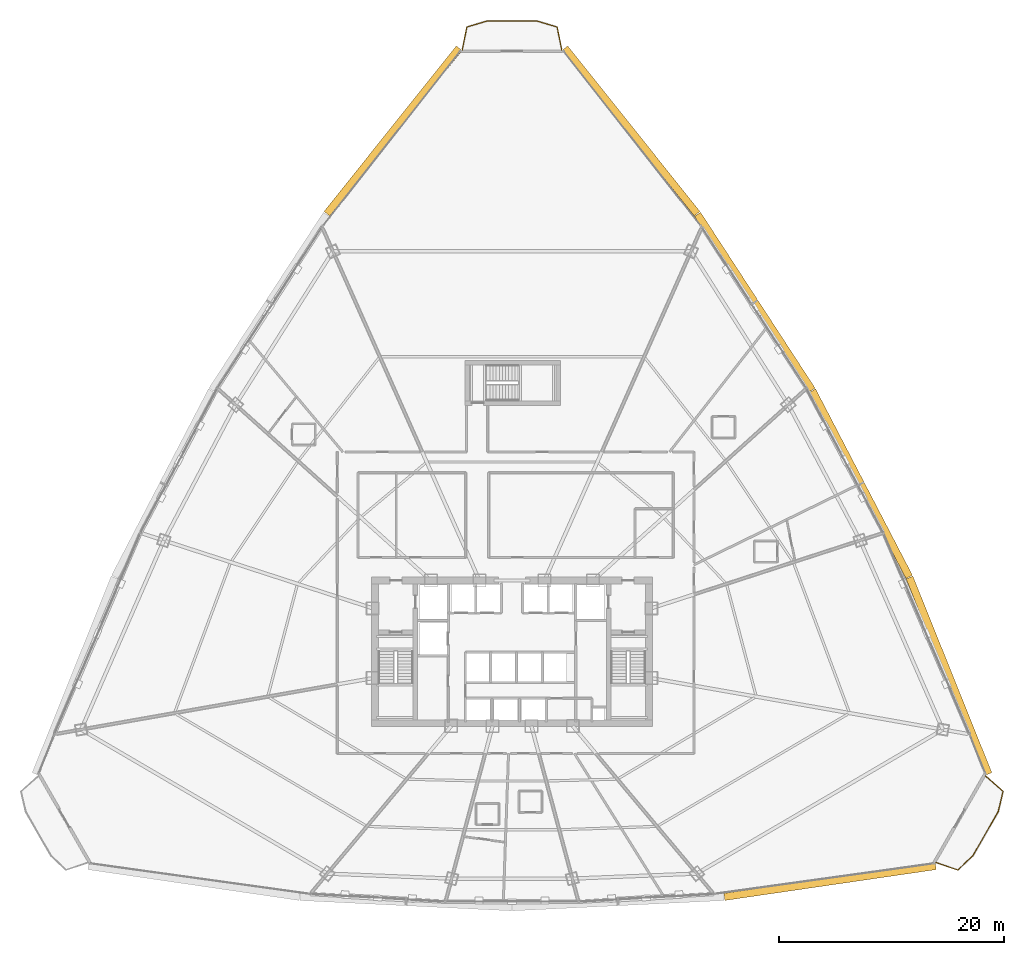
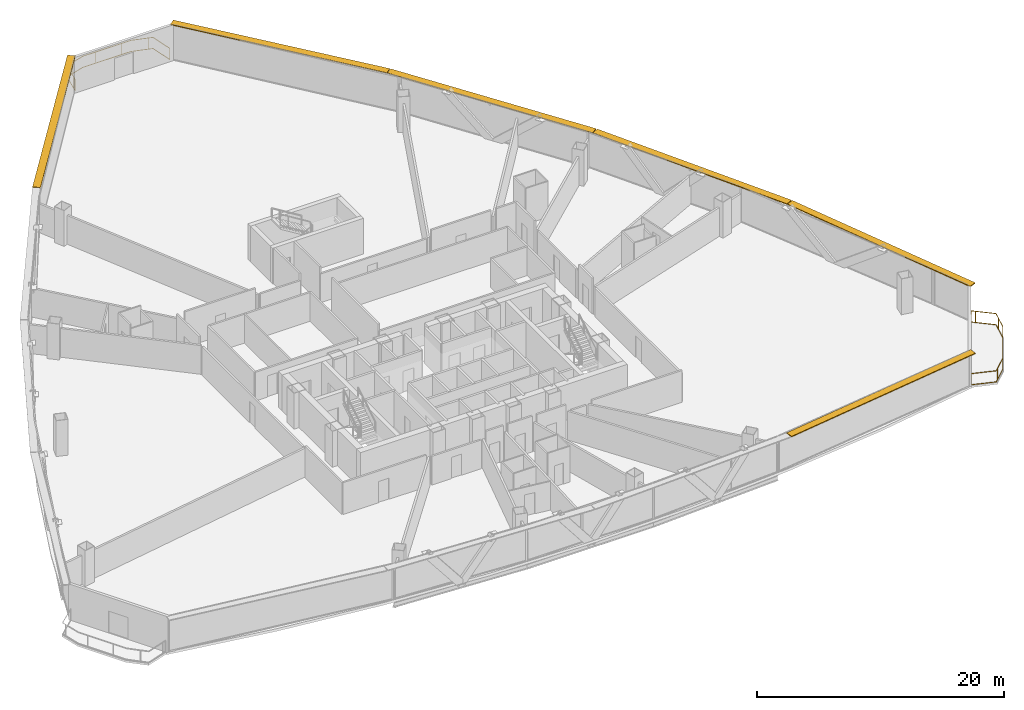
# One storey, part 37 of 37: 6 shading devices, 2 railings.
"""IFC4 building model written with IfcOpenShell, lengths in metres."""

from ifc_helpers import new_model, si_unit, direction, frame, origin, origin_2d, place, context, subcontext, project, spatial, rectangle, extrude, source, transform, mapped, material, layer, layer_set, type_object, element, save


model = new_model("IFC4")

# Units and contexts
model_context = context("Model", 3, precision=1e-05, world=origin(), true_north=direction((0.0, 1.0)))
body_context = subcontext(model_context, "Body", "Model", "MODEL_VIEW")
ifc_project = project(units=[si_unit("LENGTHUNIT", "METRE"), si_unit("AREAUNIT", "SQUARE_METRE"), si_unit("VOLUMEUNIT", "CUBIC_METRE"), si_unit("PLANEANGLEUNIT", "RADIAN"), si_unit("MASSUNIT", "GRAM", prefix="KILO"), si_unit("THERMODYNAMICTEMPERATUREUNIT", "KELVIN"), si_unit("POWERUNIT", "WATT")], contexts=[model_context])

# Site, building, storey
site_placement = place(None, origin())
site = spatial("IfcSite", under=ifc_project, at=site_placement, CompositionType="ELEMENT")
building_placement = place(site_placement, origin())
building = spatial("IfcBuilding", under=site, at=building_placement, Name="Yunzhuo Pagoda Commons", CompositionType="ELEMENT")
storey_placement = place(building_placement, frame((0.0, 0.0, 88.780029296875)))
storey = spatial("IfcBuildingStorey", under=building, at=storey_placement, Name="L22", CompositionType="ELEMENT", Elevation=88.780029296875)

# Railings
ifc_material = material(Name="Anodized aluminium 6063-T6", Category="aluminium")
railing_type = type_object("IfcRailingType", Name="RL-BAL1 Exterior Terrace & Balcony Balustrade 1150", PredefinedType="BALUSTRADE", material=ifc_material)
railing_1_placement = place(storey_placement, frame((85.737060546875, 15.097900390625, 0.0)))
element("IfcRailing", 1, at=railing_1_placement, inside=storey, type_object=railing_type, Name="L22 corner balcony balustrade V2", PredefinedType="BALUSTRADE", context=body_context, shape_type="SweptSolid", body=[
    extrude(rectangle(XDim=0.048095703125, YDim=0.048095703125, at=origin_2d()), frame((0.0, 0.0, 1.1259765625), z_axis=(0.947419062147, -0.319995501031, 0.0), x_axis=(0.319995501031, 0.947419062147, 0.0)), (0.0, 0.0, 1.0), 2.05908203125),
    extrude(rectangle(XDim=0.048095703125, YDim=0.048095703125, at=origin_2d()), frame((0.0, 0.0, 0.02392578125), z_axis=(0.947419062147, -0.319995501031, 0.0), x_axis=(0.319995501031, 0.947419062147, 0.0)), (0.0, 0.0, 1.0), 2.05908203125),
    extrude(rectangle(XDim=0.048095703125, YDim=0.048095703125, at=origin_2d()), frame((1.950927734375, -0.658935546875, 1.1259765625), z_axis=(0.724687687273, 0.689077467282, 0.0), x_axis=(-0.689077467282, 0.724687687273, 0.0)), (0.0, 0.0, 1.0), 1.85791015625),
    extrude(rectangle(XDim=0.048095703125, YDim=0.048095703125, at=origin_2d()), frame((1.950927734375, -0.658935546875, 0.02392578125), z_axis=(0.724687687273, 0.689077467282, 0.0), x_axis=(-0.689077467282, 0.724687687273, 0.0)), (0.0, 0.0, 1.0), 1.85791015625),
    extrude(rectangle(XDim=0.048095703125, YDim=0.048095703125, at=origin_2d()), frame((3.29736328125, 0.621337890625, 1.1259765625), z_axis=(0.497899857491, 0.867234531088, 0.0), x_axis=(-0.867234531088, 0.497899857491, 0.0)), (0.0, 0.0, 1.0), 4.521484375),
    extrude(rectangle(XDim=0.048095703125, YDim=0.048095703125, at=origin_2d()), frame((3.29736328125, 0.621337890625, 0.02392578125), z_axis=(0.497899857491, 0.867234531088, 0.0), x_axis=(-0.867234531088, 0.497899857491, 0.0)), (0.0, 0.0, 1.0), 4.521484375),
    extrude(rectangle(XDim=0.048095703125, YDim=0.048095703125, at=origin_2d()), frame((5.548583984375, 4.54248046875, 1.1259765625), z_axis=(0.229837631651, 0.973228987997, 0.0), x_axis=(-0.973228987997, 0.229837631651, 0.0)), (0.0, 0.0, 1.0), 1.85791015625),
    extrude(rectangle(XDim=0.048095703125, YDim=0.048095703125, at=origin_2d()), frame((5.548583984375, 4.54248046875, 0.02392578125), z_axis=(0.229837631651, 0.973228987997, 0.0), x_axis=(-0.973228987997, 0.229837631651, 0.0)), (0.0, 0.0, 1.0), 1.85791015625),
    extrude(rectangle(XDim=0.048095703125, YDim=0.048095703125, at=origin_2d()), frame((5.9755859375, 6.3505859375, 1.1259765625), z_axis=(-0.753992555518, 0.656882962348, 0.0), x_axis=(-0.656882962348, -0.753992555518, 0.0)), (0.0, 0.0, 1.0), 2.05908203125),
    extrude(rectangle(XDim=0.048095703125, YDim=0.048095703125, at=origin_2d()), frame((5.9755859375, 6.3505859375, 0.02392578125), z_axis=(-0.753992555518, 0.656882962348, 0.0), x_axis=(-0.656882962348, -0.753992555518, 0.0)), (0.0, 0.0, 1.0), 2.05908203125),
    extrude(rectangle(XDim=0.0419921875, YDim=0.0419921875, at=origin_2d()), origin(), (0.0, 0.0, 1.0), 1.101806640625),
    extrude(rectangle(XDim=0.0419921875, YDim=0.0419921875, at=origin_2d()), frame((2.197998046875, -0.424072265625, 0.0)), (0.0, 0.0, 1.0), 1.101806640625),
    extrude(rectangle(XDim=0.0419921875, YDim=0.0419921875, at=origin_2d()), frame((3.73681640625, 1.386962890625, 0.0)), (0.0, 0.0, 1.0), 1.101806640625),
    extrude(rectangle(XDim=0.0419921875, YDim=0.0419921875, at=origin_2d()), frame((4.931884765625, 3.46826171875, 0.0)), (0.0, 0.0, 1.0), 1.101806640625),
    extrude(rectangle(XDim=0.0419921875, YDim=0.0419921875, at=origin_2d()), frame((5.8154296875, 5.6728515625, 0.0)), (0.0, 0.0, 1.0), 1.101806640625),
    extrude(rectangle(XDim=0.0419921875, YDim=0.0419921875, at=origin_2d()), frame((4.691162109375, 7.4697265625, 0.0)), (0.0, 0.0, 1.0), 1.101806640625),
    extrude(rectangle(XDim=0.0419921875, YDim=0.0419921875, at=origin_2d()), frame((4.423095703125, 7.703125, 0.0)), (0.0, 0.0, 1.0), 1.101806640625),
])
railing_2_placement = place(storey_placement, frame((52.422607421875, 87.449951171875, 0.0)))
element("IfcRailing", 2, at=railing_2_placement, inside=storey, type_object=railing_type, Name="L22 corner balcony balustrade V3", PredefinedType="BALUSTRADE", context=body_context, shape_type="SweptSolid", body=[
    extrude(rectangle(XDim=0.048095703125, YDim=0.048095703125, at=origin_2d()), frame((0.0, 0.0, 1.1259765625), z_axis=(-0.194200568098, 0.980961843983, 0.0), x_axis=(-0.980961843983, -0.194200568098, 0.0)), (0.0, 0.0, 1.0), 2.059326171875),
    extrude(rectangle(XDim=0.048095703125, YDim=0.048095703125, at=origin_2d()), frame((0.0, 0.0, 0.02392578125), z_axis=(-0.194200568098, 0.980961843983, 0.0), x_axis=(-0.980961843983, -0.194200568098, 0.0)), (0.0, 0.0, 1.0), 2.059326171875),
    extrude(rectangle(XDim=0.048095703125, YDim=0.048095703125, at=origin_2d()), frame((-0.39990234375, 2.02001953125, 1.1259765625), z_axis=(-0.958036797008, 0.286645243427, 0.0), x_axis=(-0.286645243427, -0.958036797008, 0.0)), (0.0, 0.0, 1.0), 1.84912109375),
    extrude(rectangle(XDim=0.048095703125, YDim=0.048095703125, at=origin_2d()), frame((-0.39990234375, 2.02001953125, 0.02392578125), z_axis=(-0.958036797008, 0.286645243427, 0.0), x_axis=(-0.286645243427, -0.958036797008, 0.0)), (0.0, 0.0, 1.0), 1.84912109375),
    extrude(rectangle(XDim=0.048095703125, YDim=0.048095703125, at=origin_2d()), frame((-2.17138671875, 2.550048828125, 1.1259765625), z_axis=(-1.0, 0.0, 0.0), x_axis=(0.0, -1.0, 0.0)), (0.0, 0.0, 1.0), 4.50244140625),
    extrude(rectangle(XDim=0.048095703125, YDim=0.048095703125, at=origin_2d()), frame((-2.17138671875, 2.550048828125, 0.02392578125), z_axis=(-1.0, 0.0, 0.0), x_axis=(0.0, -1.0, 0.0)), (0.0, 0.0, 1.0), 4.50244140625),
    extrude(rectangle(XDim=0.048095703125, YDim=0.048095703125, at=origin_2d()), frame((-6.673828125, 2.550048828125, 1.1259765625), z_axis=(-0.958036797008, -0.286645243427, 0.0), x_axis=(0.286645243427, -0.958036797008, 0.0)), (0.0, 0.0, 1.0), 1.84912109375),
    extrude(rectangle(XDim=0.048095703125, YDim=0.048095703125, at=origin_2d()), frame((-6.673828125, 2.550048828125, 0.02392578125), z_axis=(-0.958036797008, -0.286645243427, 0.0), x_axis=(0.286645243427, -0.958036797008, 0.0)), (0.0, 0.0, 1.0), 1.84912109375),
    extrude(rectangle(XDim=0.048095703125, YDim=0.048095703125, at=origin_2d()), frame((-8.4453125, 2.02001953125, 1.1259765625), z_axis=(-0.194200568098, -0.980961843983, 0.0), x_axis=(0.980961843983, -0.194200568098, 0.0)), (0.0, 0.0, 1.0), 2.059326171875),
    extrude(rectangle(XDim=0.048095703125, YDim=0.048095703125, at=origin_2d()), frame((-8.4453125, 2.02001953125, 0.02392578125), z_axis=(-0.194200568098, -0.980961843983, 0.0), x_axis=(0.980961843983, -0.194200568098, 0.0)), (0.0, 0.0, 1.0), 2.059326171875),
    extrude(rectangle(XDim=0.0419921875, YDim=0.0419921875, at=origin_2d()), origin(), (0.0, 0.0, 1.0), 1.101806640625),
    extrude(rectangle(XDim=0.0419921875, YDim=0.0419921875, at=origin_2d()), frame((-0.726318359375, 2.11767578125, 0.0)), (0.0, 0.0, 1.0), 1.101806640625),
    extrude(rectangle(XDim=0.0419921875, YDim=0.0419921875, at=origin_2d()), frame((-3.06298828125, 2.550048828125, 0.0)), (0.0, 0.0, 1.0), 1.101806640625),
    extrude(rectangle(XDim=0.0419921875, YDim=0.0419921875, at=origin_2d()), frame((-5.463134765625, 2.550048828125, 0.0)), (0.0, 0.0, 1.0), 1.101806640625),
    extrude(rectangle(XDim=0.0419921875, YDim=0.0419921875, at=origin_2d()), frame((-7.813232421875, 2.209228515625, 0.0)), (0.0, 0.0, 1.0), 1.101806640625),
    extrude(rectangle(XDim=0.0419921875, YDim=0.0419921875, at=origin_2d()), frame((-8.783203125, 0.31298828125, 0.0)), (0.0, 0.0, 1.0), 1.101806640625),
    extrude(rectangle(XDim=0.0419921875, YDim=0.0419921875, at=origin_2d()), frame((-8.84521484375, 0.0, 0.0)), (0.0, 0.0, 1.0), 1.101806640625),
])

# Shading devices
ifc_layer = layer(ifc_material, 0.080078125)
ifc_layer_set = layer_set([ifc_layer], Name="Anodized aluminium 6063-T6")
shading_device_type = type_object("IfcShadingDeviceType", Name="SH-SUN1 Pagoda Horizontal Sunshade Eave 650", PredefinedType="USERDEFINED", material=ifc_layer_set)
shared_shape_1 = source(origin(), body_context, "Body", "SweptSolid", [
    extrude(rectangle(XDim=19.008544921875, YDim=0.64990234375, at=origin_2d()), origin(), (0.0, 0.0, 1.0), 0.080078125),
])
shading_device_placement = place(storey_placement, frame((76.3076171875, 13.415283203125, 3.4599609375), z_axis=(0.0, 0.0, 1.0), x_axis=(0.989510666697, 0.144459823108, 0.0)))
element("IfcShadingDevice", 3, at=shading_device_placement, inside=storey, type_object=shading_device_type, Name="L22 horizontal pagoda sunshade eave F1.4", ObjectType="SUNSHADE", PredefinedType="USERDEFINED", context=body_context, shape_type="MappedRepresentation", body=[
    mapped(shared_shape_1, transform((0.0, 0.0, 0.0), scale=1.0)),
])
shared_shape_2 = source(origin(), body_context, "Body", "SweptSolid", [
    extrude(rectangle(XDim=18.855712890625, YDim=0.64990234375, at=origin_2d()), origin(), (0.0, 0.0, 1.0), 0.080078125),
])
for number, where, z_axis, x_axis, name in (
    (4, (86.898681640625, 31.72607421875, 3.4599609375), (0.0, 0.0, 1.0), (-0.373003976317, 0.927829743893, 0.0), "L22 horizontal pagoda sunshade eave F2.1"),
    (5, (58.59033203125, 80.220947265625, 3.4599609375), (0.0, 0.0, 1.0), (-0.624520471688, 0.781008438138, 0.0), "L22 horizontal pagoda sunshade eave F2.4"),
    (6, (37.40966796875, 80.220947265625, 3.4599609375), (0.0, 0.0, 1.0), (-0.624520471688, -0.781008438138, 0.0), "L22 horizontal pagoda sunshade eave F3.1"),
):
    element("IfcShadingDevice", number, at=place(storey_placement, frame(where, z_axis=z_axis, x_axis=x_axis)), inside=storey, type_object=shading_device_type, Name=name, ObjectType="SUNSHADE", PredefinedType="USERDEFINED", context=body_context, shape_type="MappedRepresentation", body=[
        mapped(shared_shape_2, transform((0.0, 0.0, 0.0), scale=1.0)),
    ])
shared_shape_3 = source(origin(), body_context, "Body", "SweptSolid", [
    extrude(rectangle(XDim=18.6767578125, YDim=0.64990234375, at=origin_2d()), origin(), (0.0, 0.0, 1.0), 0.080078125),
])
for number, where, z_axis, x_axis, name in (
    (7, (79.048828125, 48.81689453125, 3.4599609375), (0.0, 0.0, 1.0), (-0.461206683033, 0.88729273384, 0.0), "L22 horizontal pagoda sunshade eave F2.2"),
    (8, (69.612548828125, 64.982177734375, 3.4599609375), (0.0, 0.0, 1.0), (-0.545838756973, 0.837890238269, 0.0), "L22 horizontal pagoda sunshade eave F2.3"),
):
    element("IfcShadingDevice", number, at=place(storey_placement, frame(where, z_axis=z_axis, x_axis=x_axis)), inside=storey, type_object=shading_device_type, Name=name, ObjectType="SUNSHADE", PredefinedType="USERDEFINED", context=body_context, shape_type="MappedRepresentation", body=[
        mapped(shared_shape_3, transform((0.0, 0.0, 0.0), scale=1.0)),
    ])

save(model, "model.ifc")
